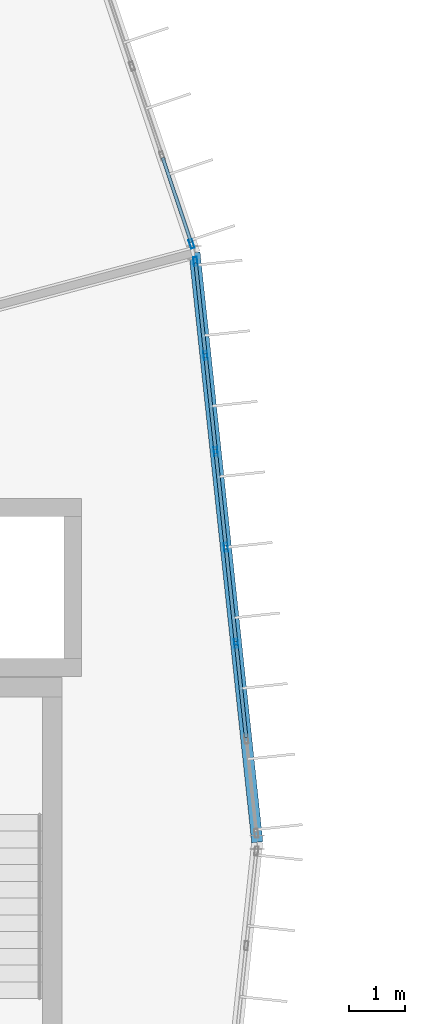
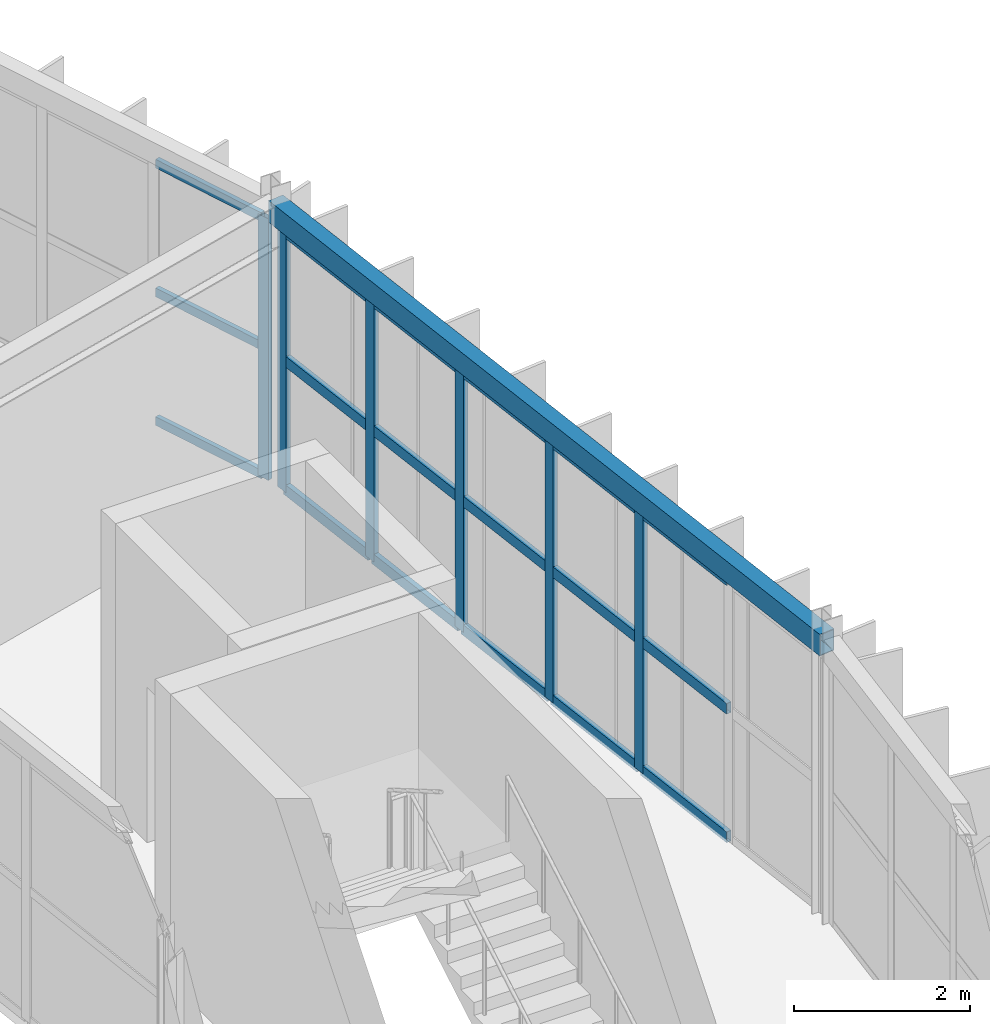
# One storey, part 64 of 134: 24 members, 1 beam, 2 elements without a shape of their own.
"""IFC4 building model written with IfcOpenShell, lengths in metres."""

from ifc_helpers import new_model, si_unit, direction, frame, origin, origin_2d, place, context, subcontext, project, spatial, hollow_rectangle, extrude, material, material_profile, profile_set, type_object, element, aggregate, save


model = new_model("IFC4")

# Units and contexts
model_context = context("Model", 3, precision=1e-05, world=origin(), true_north=direction((0.0, 1.0)))
body_context = subcontext(model_context, "Body", "Model", "MODEL_VIEW")
ifc_project = project(units=[si_unit("LENGTHUNIT", "METRE"), si_unit("AREAUNIT", "SQUARE_METRE"), si_unit("VOLUMEUNIT", "CUBIC_METRE"), si_unit("PLANEANGLEUNIT", "RADIAN"), si_unit("MASSUNIT", "GRAM", prefix="KILO")], contexts=[model_context])

# Site, building, storey
site_placement = place(None, origin())
site = spatial("IfcSite", under=ifc_project, at=site_placement, CompositionType="ELEMENT")
building_placement = place(site_placement, origin())
building = spatial("IfcBuilding", under=site, at=building_placement, Name="Karori Crest Natural Sciences Institute", CompositionType="ELEMENT")
storey_placement = place(building_placement, frame((0.0, 0.0, 21.699951171875)))
storey = spatial("IfcBuildingStorey", under=building, at=storey_placement, Name="L05", CompositionType="ELEMENT", Elevation=21.699951171875)

# Beam
ifc_material_1 = material(Name="Hollow structural steel AS/NZS 1163 Grade C350", Category="steel")
ifc_material_profile_1 = material_profile(ifc_material_1, hollow_rectangle(XDim=0.199951171875, YDim=0.300048828125, WallThickness=0.010009765625, at=origin_2d()), Name="RHS300x200x10")
ifc_profile_set_1 = profile_set([ifc_material_profile_1], Name="Hollow structural steel AS/NZS 1163 Grade C350")
beam_type = type_object("IfcBeamType", Name="BT-15", PredefinedType="SPANDREL", material=ifc_profile_set_1)
beam_placement = place(storey_placement, frame((99.39990234375, 49.89990234375, 3.7900390625), z_axis=(-0.105868278464, 0.994380162521, 0.0), x_axis=(-0.994380162521, -0.105868278464, 0.0)))
element("IfcBeam", 1, at=beam_placement, inside=storey, type_object=beam_type, Name="Beam B-0541", PredefinedType="SPANDREL", context=body_context, shape_type="SweptSolid", body=[
    extrude(hollow_rectangle(XDim=0.199951171875, YDim=0.300048828125, WallThickness=0.010009765625, at=origin_2d()), origin(), (0.0, 0.0, 1.0), 10.619384765625),
])

# Curtain wall, members
ifc_material_2 = material(Name="Anodised architectural aluminium 6063-T6", Category="aluminium")
curtain_wall_type_1 = type_object("IfcCurtainWallType", Name="CWT-01", PredefinedType="NOTDEFINED", material=ifc_material_2)
curtain_wall_1_placement = place(storey_placement, origin())
curtain_wall_1 = element("IfcCurtainWall", 2, at=curtain_wall_1_placement, inside=storey, type_object=curtain_wall_type_1, Name="Curtain wall CW-0172", PredefinedType="NOTDEFINED")
ifc_material_profile_2 = material_profile(ifc_material_2, hollow_rectangle(XDim=0.06494140625, YDim=0.159912109375, WallThickness=0.00390625, at=origin_2d()), Name="CWM160x65x4")
ifc_profile_set_2 = profile_set([ifc_material_profile_2], Name="Anodised architectural aluminium 6063-T6")
member_type_1 = type_object("IfcMemberType", Name="CWM-01", PredefinedType="MULLION", material=ifc_profile_set_2)
member_1_placement = place(storey_placement, frame((98.292236328125, 60.302490234375, 0.0), z_axis=(0.0, 0.0, 1.0), x_axis=(0.994378435661, 0.105884496939, 0.0)))
member_1 = element("IfcMember", 3, at=member_1_placement, type_object=member_type_1, Name="CW-0172 mullion 1", PredefinedType="MULLION", context=body_context, shape_type="SweptSolid", body=[
    extrude(hollow_rectangle(XDim=0.06494140625, YDim=0.159912109375, WallThickness=0.00390625, at=origin_2d()), origin(), (0.0, 0.0, 1.0), 3.625),
])
member_2_placement = place(storey_placement, frame((98.471923828125, 58.616943359375, 0.0), z_axis=(0.0, 0.0, 1.0), x_axis=(0.994378435661, 0.105884496939, 0.0)))
member_2 = element("IfcMember", 4, at=member_2_placement, type_object=member_type_1, Name="CW-0172 mullion 2", PredefinedType="MULLION", context=body_context, shape_type="SweptSolid", body=[
    extrude(hollow_rectangle(XDim=0.06494140625, YDim=0.159912109375, WallThickness=0.00390625, at=origin_2d()), origin(), (0.0, 0.0, 1.0), 3.625),
])
member_3_placement = place(storey_placement, frame((98.65478515625, 56.899169921875, 0.0), z_axis=(0.0, 0.0, 1.0), x_axis=(0.994378435661, 0.105884496939, 0.0)))
member_3 = element("IfcMember", 5, at=member_3_placement, type_object=member_type_1, Name="CW-0172 mullion 3", PredefinedType="MULLION", context=body_context, shape_type="SweptSolid", body=[
    extrude(hollow_rectangle(XDim=0.06494140625, YDim=0.159912109375, WallThickness=0.00390625, at=origin_2d()), origin(), (0.0, 0.0, 1.0), 3.625),
])
member_4_placement = place(storey_placement, frame((98.837646484375, 55.181396484375, 0.0), z_axis=(0.0, 0.0, 1.0), x_axis=(0.994378435661, 0.105884496939, 0.0)))
member_4 = element("IfcMember", 6, at=member_4_placement, type_object=member_type_1, Name="CW-0172 mullion 4", PredefinedType="MULLION", context=body_context, shape_type="SweptSolid", body=[
    extrude(hollow_rectangle(XDim=0.06494140625, YDim=0.159912109375, WallThickness=0.00390625, at=origin_2d()), origin(), (0.0, 0.0, 1.0), 3.625),
])
member_5_placement = place(storey_placement, frame((99.0205078125, 53.463623046875, 0.0), z_axis=(0.0, 0.0, 1.0), x_axis=(0.994378435661, 0.105884496939, 0.0)))
member_5 = element("IfcMember", 7, at=member_5_placement, type_object=member_type_1, Name="CW-0172 mullion 5", PredefinedType="MULLION", context=body_context, shape_type="SweptSolid", body=[
    extrude(hollow_rectangle(XDim=0.06494140625, YDim=0.159912109375, WallThickness=0.00390625, at=origin_2d()), origin(), (0.0, 0.0, 1.0), 3.625),
])

curtain_wall_type_2 = type_object("IfcCurtainWallType", Name="CWT-02", PredefinedType="NOTDEFINED", material=ifc_material_2)
curtain_wall_2_placement = place(storey_placement, origin())
curtain_wall_2 = element("IfcCurtainWall", 8, at=curtain_wall_2_placement, inside=storey, type_object=curtain_wall_type_2, Name="Curtain wall CW-0174", PredefinedType="NOTDEFINED")
member_6_placement = place(storey_placement, frame((98.223388671875, 60.61572265625, 0.0), z_axis=(0.0, 0.0, 1.0), x_axis=(0.94819805026, 0.317679803392, 0.0)))
member_6 = element("IfcMember", 9, at=member_6_placement, type_object=member_type_1, Name="CW-0174 mullion 7", PredefinedType="MULLION", context=body_context, shape_type="SweptSolid", body=[
    extrude(hollow_rectangle(XDim=0.06494140625, YDim=0.159912109375, WallThickness=0.00390625, at=origin_2d()), origin(), (0.0, 0.0, 1.0), 3.625),
])
ifc_material_profile_3 = material_profile(ifc_material_2, hollow_rectangle(XDim=0.06005859375, YDim=0.1201171875, WallThickness=0.00390625, at=origin_2d()), Name="CWT120x60x4")
ifc_profile_set_3 = profile_set([ifc_material_profile_3], Name="Anodised architectural aluminium 6063-T6")
member_type_2 = type_object("IfcMemberType", Name="CWT-TR1", PredefinedType="USERDEFINED", material=ifc_profile_set_3)
member_7_placement = place(storey_placement, frame((97.7060546875, 62.16015625, 0.030029296875), z_axis=(0.317649722808, -0.948208127786, 0.0), x_axis=(0.948208127786, 0.317649722808, 0.0)))
member_7 = element("IfcMember", 10, at=member_7_placement, type_object=member_type_2, Name="CW-0174 transom 6.1", ObjectType="TRANSOM", PredefinedType="USERDEFINED", context=body_context, shape_type="SweptSolid", body=[
    extrude(hollow_rectangle(XDim=0.06005859375, YDim=0.1201171875, WallThickness=0.00390625, at=origin_2d()), origin(), (0.0, 0.0, 1.0), 1.596435546875),
])
member_8_placement = place(storey_placement, frame((97.7060546875, 62.16015625, 1.8125), z_axis=(0.317649722808, -0.948208127786, 0.0), x_axis=(0.948208127786, 0.317649722808, 0.0)))
member_8 = element("IfcMember", 11, at=member_8_placement, type_object=member_type_2, Name="CW-0174 transom 6.2", ObjectType="TRANSOM", PredefinedType="USERDEFINED", context=body_context, shape_type="SweptSolid", body=[
    extrude(hollow_rectangle(XDim=0.06005859375, YDim=0.1201171875, WallThickness=0.00390625, at=origin_2d()), origin(), (0.0, 0.0, 1.0), 1.596435546875),
])
member_9_placement = place(storey_placement, frame((97.7060546875, 62.16015625, 3.594970703125), z_axis=(0.317649722808, -0.948208127786, 0.0), x_axis=(0.948208127786, 0.317649722808, 0.0)))
member_9 = element("IfcMember", 12, at=member_9_placement, type_object=member_type_2, Name="CW-0174 transom 6.3", ObjectType="TRANSOM", PredefinedType="USERDEFINED", context=body_context, shape_type="SweptSolid", body=[
    extrude(hollow_rectangle(XDim=0.06005859375, YDim=0.1201171875, WallThickness=0.00390625, at=origin_2d()), origin(), (0.0, 0.0, 1.0), 1.596435546875),
])
aggregate(curtain_wall_2, [member_6, member_7, member_8, member_9])

# Member
ifc_material_profile_4 = material_profile(ifc_material_2, hollow_rectangle(XDim=0.06494140625, YDim=0.14990234375, WallThickness=0.00390625, at=origin_2d()), Name="CWT150x65x4")
ifc_profile_set_4 = profile_set([ifc_material_profile_4], Name="Anodised architectural aluminium 6063-T6")
member_type_3 = type_object("IfcMemberType", Name="CWT-TR2", PredefinedType="USERDEFINED", material=ifc_profile_set_4)
member_10_placement = place(storey_placement, frame((98.2958984375, 60.270263671875, 0.032470703125), z_axis=(0.105745089448, -0.99439327032, 0.0), x_axis=(0.99439327032, 0.105745089448, 0.0)))
member_10 = element("IfcMember", 13, at=member_10_placement, type_object=member_type_3, Name="CW-0172 transom 1.1", ObjectType="TRANSOM", PredefinedType="USERDEFINED", context=body_context, shape_type="SweptSolid", body=[
    extrude(hollow_rectangle(XDim=0.06494140625, YDim=0.14990234375, WallThickness=0.00390625, at=origin_2d()), origin(), (0.0, 0.0, 1.0), 1.6298828125),
])

member_11_placement = place(storey_placement, frame((98.2958984375, 60.270263671875, 1.8125), z_axis=(0.105745089448, -0.99439327032, 0.0), x_axis=(0.99439327032, 0.105745089448, 0.0)))
member_11 = element("IfcMember", 14, at=member_11_placement, type_object=member_type_3, Name="CW-0172 transom 1.2", ObjectType="TRANSOM", PredefinedType="USERDEFINED", context=body_context, shape_type="SweptSolid", body=[
    extrude(hollow_rectangle(XDim=0.06494140625, YDim=0.14990234375, WallThickness=0.00390625, at=origin_2d()), origin(), (0.0, 0.0, 1.0), 1.6298828125),
])

member_12_placement = place(storey_placement, frame((98.2958984375, 60.270263671875, 3.592529296875), z_axis=(0.105745089448, -0.99439327032, 0.0), x_axis=(0.99439327032, 0.105745089448, 0.0)))
member_12 = element("IfcMember", 15, at=member_12_placement, type_object=member_type_3, Name="CW-0172 transom 1.3", ObjectType="TRANSOM", PredefinedType="USERDEFINED", context=body_context, shape_type="SweptSolid", body=[
    extrude(hollow_rectangle(XDim=0.06494140625, YDim=0.14990234375, WallThickness=0.00390625, at=origin_2d()), origin(), (0.0, 0.0, 1.0), 1.6298828125),
])

member_13_placement = place(storey_placement, frame((98.475341796875, 58.584716796875, 0.032470703125), z_axis=(0.105869463411, -0.994380036363, 0.0), x_axis=(0.994380036363, 0.105869463411, 0.0)))
member_13 = element("IfcMember", 16, at=member_13_placement, type_object=member_type_3, Name="CW-0172 transom 2.1", ObjectType="TRANSOM", PredefinedType="USERDEFINED", context=body_context, shape_type="SweptSolid", body=[
    extrude(hollow_rectangle(XDim=0.06494140625, YDim=0.14990234375, WallThickness=0.00390625, at=origin_2d()), origin(), (0.0, 0.0, 1.0), 1.66259765625),
])

member_14_placement = place(storey_placement, frame((98.475341796875, 58.584716796875, 1.8125), z_axis=(0.105869463411, -0.994380036363, 0.0), x_axis=(0.994380036363, 0.105869463411, 0.0)))
member_14 = element("IfcMember", 17, at=member_14_placement, type_object=member_type_3, Name="CW-0172 transom 2.2", ObjectType="TRANSOM", PredefinedType="USERDEFINED", context=body_context, shape_type="SweptSolid", body=[
    extrude(hollow_rectangle(XDim=0.06494140625, YDim=0.14990234375, WallThickness=0.00390625, at=origin_2d()), origin(), (0.0, 0.0, 1.0), 1.66259765625),
])

member_15_placement = place(storey_placement, frame((98.475341796875, 58.584716796875, 3.592529296875), z_axis=(0.105869463411, -0.994380036363, 0.0), x_axis=(0.994380036363, 0.105869463411, 0.0)))
member_15 = element("IfcMember", 18, at=member_15_placement, type_object=member_type_3, Name="CW-0172 transom 2.3", ObjectType="TRANSOM", PredefinedType="USERDEFINED", context=body_context, shape_type="SweptSolid", body=[
    extrude(hollow_rectangle(XDim=0.06494140625, YDim=0.14990234375, WallThickness=0.00390625, at=origin_2d()), origin(), (0.0, 0.0, 1.0), 1.66259765625),
])

member_16_placement = place(storey_placement, frame((98.658203125, 56.866943359375, 0.032470703125), z_axis=(0.105869463411, -0.994380036363, 0.0), x_axis=(0.994380036363, 0.105869463411, 0.0)))
member_16 = element("IfcMember", 19, at=member_16_placement, type_object=member_type_3, Name="CW-0172 transom 3.1", ObjectType="TRANSOM", PredefinedType="USERDEFINED", context=body_context, shape_type="SweptSolid", body=[
    extrude(hollow_rectangle(XDim=0.06494140625, YDim=0.14990234375, WallThickness=0.00390625, at=origin_2d()), origin(), (0.0, 0.0, 1.0), 1.66259765625),
])

member_17_placement = place(storey_placement, frame((98.658203125, 56.866943359375, 1.8125), z_axis=(0.105869463411, -0.994380036363, 0.0), x_axis=(0.994380036363, 0.105869463411, 0.0)))
member_17 = element("IfcMember", 20, at=member_17_placement, type_object=member_type_3, Name="CW-0172 transom 3.2", ObjectType="TRANSOM", PredefinedType="USERDEFINED", context=body_context, shape_type="SweptSolid", body=[
    extrude(hollow_rectangle(XDim=0.06494140625, YDim=0.14990234375, WallThickness=0.00390625, at=origin_2d()), origin(), (0.0, 0.0, 1.0), 1.66259765625),
])

member_18_placement = place(storey_placement, frame((98.658203125, 56.866943359375, 3.592529296875), z_axis=(0.105869463411, -0.994380036363, 0.0), x_axis=(0.994380036363, 0.105869463411, 0.0)))
member_18 = element("IfcMember", 21, at=member_18_placement, type_object=member_type_3, Name="CW-0172 transom 3.3", ObjectType="TRANSOM", PredefinedType="USERDEFINED", context=body_context, shape_type="SweptSolid", body=[
    extrude(hollow_rectangle(XDim=0.06494140625, YDim=0.14990234375, WallThickness=0.00390625, at=origin_2d()), origin(), (0.0, 0.0, 1.0), 1.66259765625),
])

member_19_placement = place(storey_placement, frame((98.841064453125, 55.149169921875, 0.032470703125), z_axis=(0.105869463411, -0.994380036363, 0.0), x_axis=(0.994380036363, 0.105869463411, 0.0)))
member_19 = element("IfcMember", 22, at=member_19_placement, type_object=member_type_3, Name="CW-0172 transom 4.1", ObjectType="TRANSOM", PredefinedType="USERDEFINED", context=body_context, shape_type="SweptSolid", body=[
    extrude(hollow_rectangle(XDim=0.06494140625, YDim=0.14990234375, WallThickness=0.00390625, at=origin_2d()), origin(), (0.0, 0.0, 1.0), 1.66259765625),
])

member_20_placement = place(storey_placement, frame((98.841064453125, 55.149169921875, 1.8125), z_axis=(0.105869463411, -0.994380036363, 0.0), x_axis=(0.994380036363, 0.105869463411, 0.0)))
member_20 = element("IfcMember", 23, at=member_20_placement, type_object=member_type_3, Name="CW-0172 transom 4.2", ObjectType="TRANSOM", PredefinedType="USERDEFINED", context=body_context, shape_type="SweptSolid", body=[
    extrude(hollow_rectangle(XDim=0.06494140625, YDim=0.14990234375, WallThickness=0.00390625, at=origin_2d()), origin(), (0.0, 0.0, 1.0), 1.66259765625),
])

member_21_placement = place(storey_placement, frame((98.841064453125, 55.149169921875, 3.592529296875), z_axis=(0.105869463411, -0.994380036363, 0.0), x_axis=(0.994380036363, 0.105869463411, 0.0)))
member_21 = element("IfcMember", 24, at=member_21_placement, type_object=member_type_3, Name="CW-0172 transom 4.3", ObjectType="TRANSOM", PredefinedType="USERDEFINED", context=body_context, shape_type="SweptSolid", body=[
    extrude(hollow_rectangle(XDim=0.06494140625, YDim=0.14990234375, WallThickness=0.00390625, at=origin_2d()), origin(), (0.0, 0.0, 1.0), 1.66259765625),
])

member_22_placement = place(storey_placement, frame((99.02392578125, 53.431396484375, 0.032470703125), z_axis=(0.105869463411, -0.994380036363, 0.0), x_axis=(0.994380036363, 0.105869463411, 0.0)))
member_22 = element("IfcMember", 25, at=member_22_placement, type_object=member_type_3, Name="CW-0172 transom 5.1", ObjectType="TRANSOM", PredefinedType="USERDEFINED", context=body_context, shape_type="SweptSolid", body=[
    extrude(hollow_rectangle(XDim=0.06494140625, YDim=0.14990234375, WallThickness=0.00390625, at=origin_2d()), origin(), (0.0, 0.0, 1.0), 1.66259765625),
])

member_23_placement = place(storey_placement, frame((99.02392578125, 53.431396484375, 1.8125), z_axis=(0.105869463411, -0.994380036363, 0.0), x_axis=(0.994380036363, 0.105869463411, 0.0)))
member_23 = element("IfcMember", 26, at=member_23_placement, type_object=member_type_3, Name="CW-0172 transom 5.2", ObjectType="TRANSOM", PredefinedType="USERDEFINED", context=body_context, shape_type="SweptSolid", body=[
    extrude(hollow_rectangle(XDim=0.06494140625, YDim=0.14990234375, WallThickness=0.00390625, at=origin_2d()), origin(), (0.0, 0.0, 1.0), 1.66259765625),
])

member_24_placement = place(storey_placement, frame((99.02392578125, 53.431396484375, 3.592529296875), z_axis=(0.105869463411, -0.994380036363, 0.0), x_axis=(0.994380036363, 0.105869463411, 0.0)))
member_24 = element("IfcMember", 27, at=member_24_placement, type_object=member_type_3, Name="CW-0172 transom 5.3", ObjectType="TRANSOM", PredefinedType="USERDEFINED", context=body_context, shape_type="SweptSolid", body=[
    extrude(hollow_rectangle(XDim=0.06494140625, YDim=0.14990234375, WallThickness=0.00390625, at=origin_2d()), origin(), (0.0, 0.0, 1.0), 1.66259765625),
])

aggregate(curtain_wall_1, [member_1, member_2, member_3, member_4, member_5, member_10, member_11, member_12, member_13, member_14, member_15, member_16, member_17, member_18, member_19, member_20, member_21, member_22, member_23, member_24])

save(model, "model.ifc")
